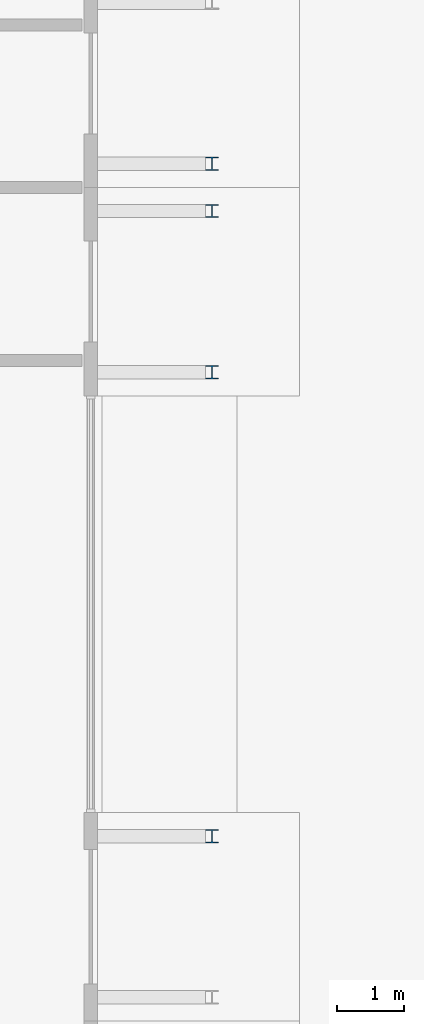
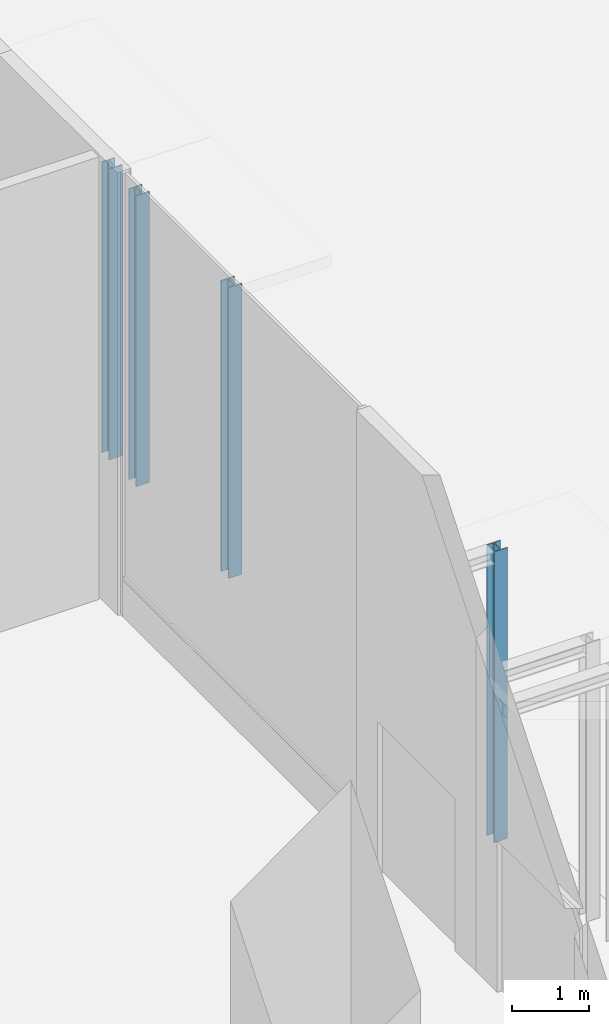
# One storey, part 7 of 41: 4 columns.
"""IFC4 building model written with IfcOpenShell, lengths in metres."""

from ifc_helpers import new_model, si_unit, direction, frame, origin, origin_2d, place, context, subcontext, project, spatial, i_section, extrude, material, material_profile, profile_set, type_object, element, save


model = new_model("IFC4")

# Units and contexts
model_context = context("Model", 3, precision=1e-05, world=origin(), true_north=direction((0.0, 1.0)))
body_context = subcontext(model_context, "Body", "Model", "MODEL_VIEW")
ifc_project = project(units=[si_unit("LENGTHUNIT", "METRE"), si_unit("AREAUNIT", "SQUARE_METRE"), si_unit("VOLUMEUNIT", "CUBIC_METRE"), si_unit("PLANEANGLEUNIT", "RADIAN"), si_unit("MASSUNIT", "GRAM", prefix="KILO")], contexts=[model_context])

# Site, building, storey
site_placement = place(None, origin())
site = spatial("IfcSite", under=ifc_project, at=site_placement, CompositionType="ELEMENT")
building_placement = place(site_placement, origin())
building = spatial("IfcBuilding", under=site, at=building_placement, Name="Rattan Terrace Tower", CompositionType="ELEMENT")
storey_placement = place(building_placement, origin())
storey = spatial("IfcBuildingStorey", under=building, at=storey_placement, Name="L00", CompositionType="ELEMENT", Elevation=0.0)

# Columns
ifc_material = material(Name="Structural steel S355", Category="steel")
ifc_material_profile = material_profile(ifc_material, i_section(OverallWidth=0.199951171875, OverallDepth=0.199951171875, WebThickness=0.009033203125, FlangeThickness=0.014892578125, FilletRadius=0.01806640625, at=origin_2d()), Name="HE 200 B")
ifc_profile_set = profile_set([ifc_material_profile], Name="Structural steel S355")
column_type = type_object("IfcColumnType", Name="Canopy post HE 200 B", PredefinedType="COLUMN", material=ifc_profile_set)
for number, where, z_axis, x_axis, name in (
    (1, (38.6298828125, -9.75390625, -0.199951171875), (0.0, 0.0, 1.0), (1.0, 0.0, 0.0), "Canopy post 006b"),
    (2, (38.6298828125, -2.865966796875, -0.199951171875), (0.0, 0.0, 1.0), (1.0, 0.0, 0.0), "Canopy post 011a"),
    (3, (38.6298828125, -0.471923828125, -0.199951171875), (0.0, 0.0, 1.0), (1.0, 0.0, 0.0), "Canopy post 011b"),
    (4, (38.6298828125, 0.22802734375, -0.199951171875), (0.0, 0.0, 1.0), (1.0, 0.0, 0.0), "Canopy post 016a"),
):
    element("IfcColumn", number, at=place(storey_placement, frame(where, z_axis=z_axis, x_axis=x_axis)), inside=storey, type_object=column_type, Name=name, PredefinedType="COLUMN", context=body_context, shape_type="SweptSolid", body=[
        extrude(i_section(OverallWidth=0.199951171875, OverallDepth=0.199951171875, WebThickness=0.009033203125, FlangeThickness=0.014892578125, FilletRadius=0.01806640625, at=origin_2d()), origin(), (0.0, 0.0, 1.0), 4.599853515625),
    ])

save(model, "model.ifc")
